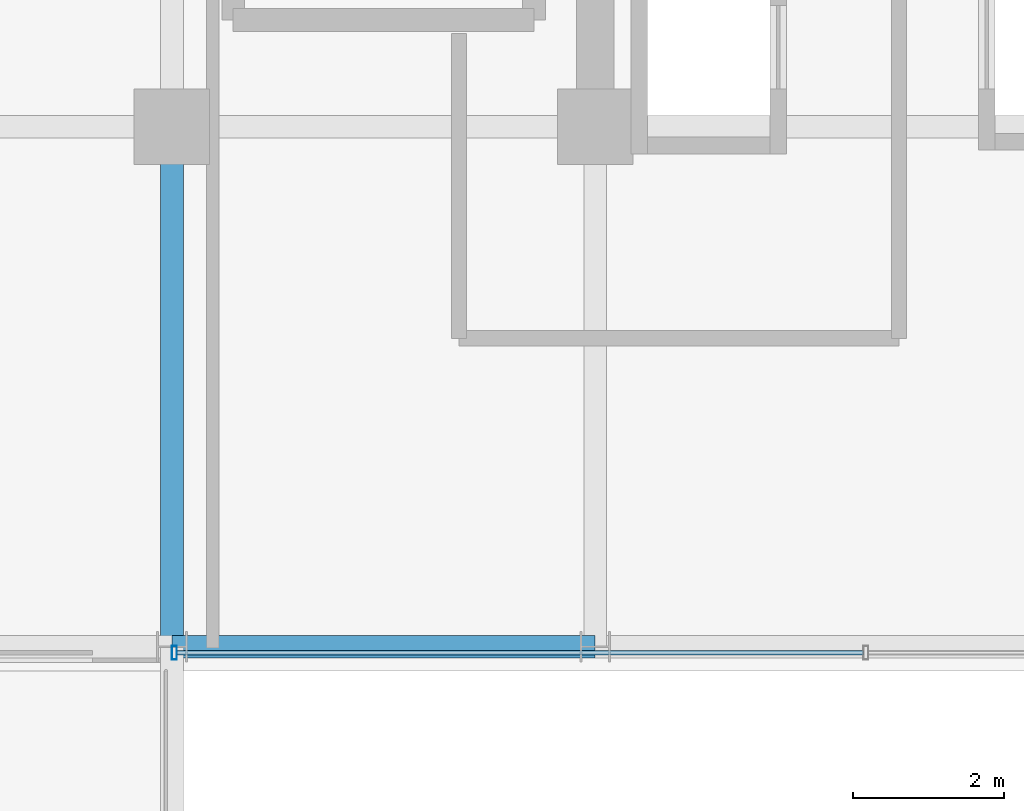
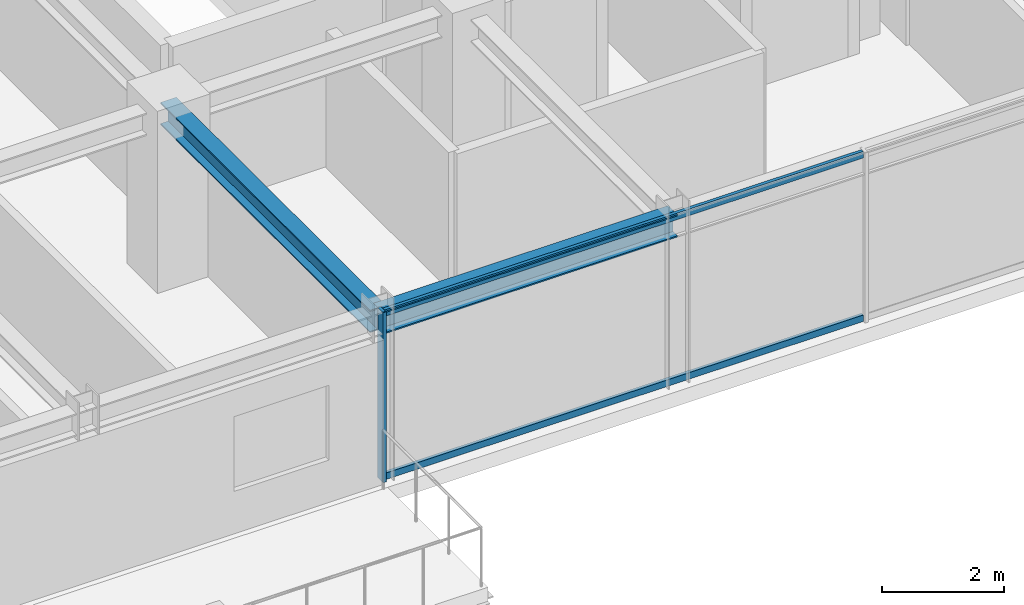
# One storey, part 6 of 34: 3 members, 2 beams, 1 element without a shape of its own.
"""IFC4 building model written with IfcOpenShell, lengths in metres."""

from ifc_helpers import new_model, si_unit, direction, frame, origin, origin_2d, place, context, subcontext, project, spatial, hollow_rectangle, i_section, extrude, source, transform, mapped, material, material_profile, profile_set, type_object, element, aggregate, save


model = new_model("IFC4")

# Units and contexts
model_context = context("Model", 3, precision=1e-05, world=origin(), true_north=direction((0.0, 1.0)))
body_context = subcontext(model_context, "Body", "Model", "MODEL_VIEW")
ifc_project = project(units=[si_unit("LENGTHUNIT", "METRE"), si_unit("AREAUNIT", "SQUARE_METRE"), si_unit("VOLUMEUNIT", "CUBIC_METRE"), si_unit("PLANEANGLEUNIT", "RADIAN"), si_unit("MASSUNIT", "GRAM", prefix="KILO")], contexts=[model_context])

# Site, building, storey
site_placement = place(None, origin())
site = spatial("IfcSite", under=ifc_project, at=site_placement, CompositionType="ELEMENT")
building_placement = place(site_placement, origin())
building = spatial("IfcBuilding", under=site, at=building_placement, Name="Nahalor Promenade Grand Hotel", CompositionType="ELEMENT")
storey_placement = place(building_placement, frame((0.0, 0.0, 208.60009765625)))
storey = spatial("IfcBuildingStorey", under=building, at=storey_placement, Name="L53", CompositionType="ELEMENT", Elevation=208.60009765625)

# Beams
ifc_material_1 = material(Name="Steel S355JR", Category="steel")
ifc_material_profile_1 = material_profile(ifc_material_1, i_section(OverallWidth=0.3, OverallDepth=0.45, WebThickness=0.014, FlangeThickness=0.026, at=origin_2d()), Name="HEB 450")
ifc_profile_set_1 = profile_set([ifc_material_profile_1], Name="Steel S355JR")
beam_type_1 = type_object("IfcBeamType", Name="Beam-Spandrel-HEB450", PredefinedType="SPANDREL", material=ifc_profile_set_1)
shared_shape_1 = source(origin(), body_context, "Body", "SweptSolid", [
    extrude(i_section(OverallWidth=0.3, OverallDepth=0.45, WebThickness=0.014, FlangeThickness=0.026, at=origin_2d()), origin(), (0.0, 0.0, 1.0), 5.599853515625),
])
beam_1_placement = place(storey_placement, frame((2.800048828125, -23.8798828125, 3.184814453125), z_axis=(1.0, 0.0, 0.0), x_axis=(0.0, 1.0, 0.0)))
element("IfcBeam", 1, at=beam_1_placement, inside=storey, type_object=beam_type_1, Name="BM-L53-SP-S-3", PredefinedType="SPANDREL", context=body_context, shape_type="MappedRepresentation", body=[
    mapped(shared_shape_1, transform((0.0, 0.0, 0.0), scale=1.0)),
])
ifc_material_profile_2 = material_profile(ifc_material_1, i_section(OverallWidth=0.3, OverallDepth=0.45, WebThickness=0.014, FlangeThickness=0.026, at=origin_2d()), Name="HEB 450")
ifc_profile_set_2 = profile_set([ifc_material_profile_2], Name="Steel S355JR")
beam_type_2 = type_object("IfcBeamType", Name="Beam-Girder-HEB450", PredefinedType="BEAM", material=ifc_profile_set_2)
shared_shape_2 = source(origin(), body_context, "Body", "SweptSolid", [
    extrude(i_section(OverallWidth=0.3, OverallDepth=0.45, WebThickness=0.014, FlangeThickness=0.026, at=origin_2d()), origin(), (0.0, 0.0, 1.0), 6.8798828125),
])
beam_2_placement = place(storey_placement, frame((2.800048828125, -23.8798828125, 3.184814453125), z_axis=(0.0, 1.0, 0.0), x_axis=(-1.0, 0.0, 0.0)))
element("IfcBeam", 2, at=beam_2_placement, inside=storey, type_object=beam_type_2, Name="BM-L53-GY-3-0", PredefinedType="BEAM", context=body_context, shape_type="MappedRepresentation", body=[
    mapped(shared_shape_2, transform((0.0, 0.0, 0.0), scale=1.0)),
])

# Curtain wall, members
ifc_material_2 = material(Name="Anodised Bronze Aluminium EN AW-6063 T6", Category="aluminium")
curtain_wall_type = type_object("IfcCurtainWallType", Name="CW2 Typical Hotel Flush Bronze Unitised Curtain Wall", PredefinedType="USERDEFINED", material=ifc_material_2)
curtain_wall_placement = place(storey_placement, origin())
curtain_wall = element("IfcCurtainWall", 3, at=curtain_wall_placement, inside=storey, type_object=curtain_wall_type, Name="L53 Curtain Wall CW-L53-S-3", ObjectType="UNITISED_CURTAIN_WALL", PredefinedType="USERDEFINED")
ifc_material_profile_3 = material_profile(ifc_material_2, hollow_rectangle(XDim=0.065, YDim=0.13, WallThickness=0.004, at=origin_2d()), Name="CWT 65x130x4")
ifc_profile_set_3 = profile_set([ifc_material_profile_3], Name="Anodised Bronze Aluminium EN AW-6063 T6")
member_type_1 = type_object("IfcMemberType", Name="CWT2 Typical Bronze Transom 65x130", PredefinedType="USERDEFINED", material=ifc_profile_set_3)
shared_shape_3 = source(origin(), body_context, "Body", "SweptSolid", [
    extrude(hollow_rectangle(XDim=0.065, YDim=0.13, WallThickness=0.004, at=origin_2d()), origin(), (0.0, 0.0, 1.0), 9.08251953125),
])
member_1_placement = place(storey_placement, frame((2.864990234375, -23.9599609375, 0.06494140625), z_axis=(1.0, 0.0, 0.0), x_axis=(0.0, 1.0, 0.0)))
member_1 = element("IfcMember", 4, at=member_1_placement, type_object=member_type_1, Name="CW-L53-S-3 Transom 0-0", ObjectType="TRANSOM", PredefinedType="USERDEFINED", context=body_context, shape_type="MappedRepresentation", body=[
    mapped(shared_shape_3, transform((0.0, 0.0, 0.0), scale=1.0)),
])
member_2_placement = place(storey_placement, frame((2.864990234375, -23.9599609375, 3.344970703125), z_axis=(1.0, 0.0, 0.0), x_axis=(0.0, 1.0, 0.0)))
member_2 = element("IfcMember", 5, at=member_2_placement, type_object=member_type_1, Name="CW-L53-S-3 Transom 0-1", ObjectType="TRANSOM", PredefinedType="USERDEFINED", context=body_context, shape_type="MappedRepresentation", body=[
    mapped(shared_shape_3, transform((0.0, 0.0, 0.0), scale=1.0)),
])
ifc_material_profile_4 = material_profile(ifc_material_2, hollow_rectangle(XDim=0.065, YDim=0.18, WallThickness=0.004, at=origin_2d()), Name="CWM 65x180x4")
ifc_profile_set_4 = profile_set([ifc_material_profile_4], Name="Anodised Bronze Aluminium EN AW-6063 T6")
member_type_2 = type_object("IfcMemberType", Name="CWM2 Typical Bronze Mullion 65x180", PredefinedType="MULLION", material=ifc_profile_set_4)
shared_shape_4 = source(origin(), body_context, "Body", "SweptSolid", [
    extrude(hollow_rectangle(XDim=0.065, YDim=0.18, WallThickness=0.004, at=origin_2d()), origin(), (0.0, 0.0, 1.0), 3.409912109375),
])
member_3_placement = place(storey_placement, frame((2.83251953125, -23.9599609375, 0.0), z_axis=(0.0, 0.0, 1.0), x_axis=(1.0, 0.0, 0.0)))
member_3 = element("IfcMember", 6, at=member_3_placement, type_object=member_type_2, Name="CW-L53-S-3 Mullion 0", PredefinedType="MULLION", context=body_context, shape_type="MappedRepresentation", body=[
    mapped(shared_shape_4, transform((0.0, 0.0, 0.0), scale=1.0)),
])
aggregate(curtain_wall, [member_3, member_1, member_2])

save(model, "model.ifc")
